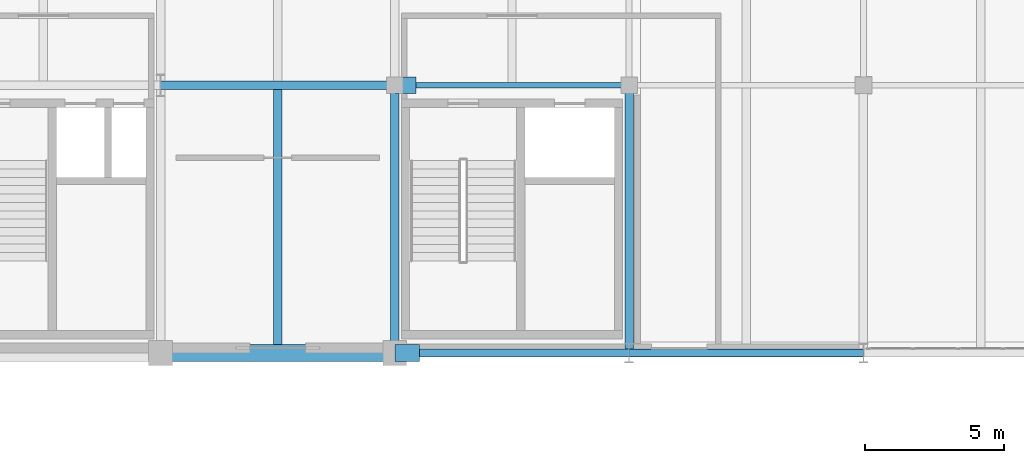
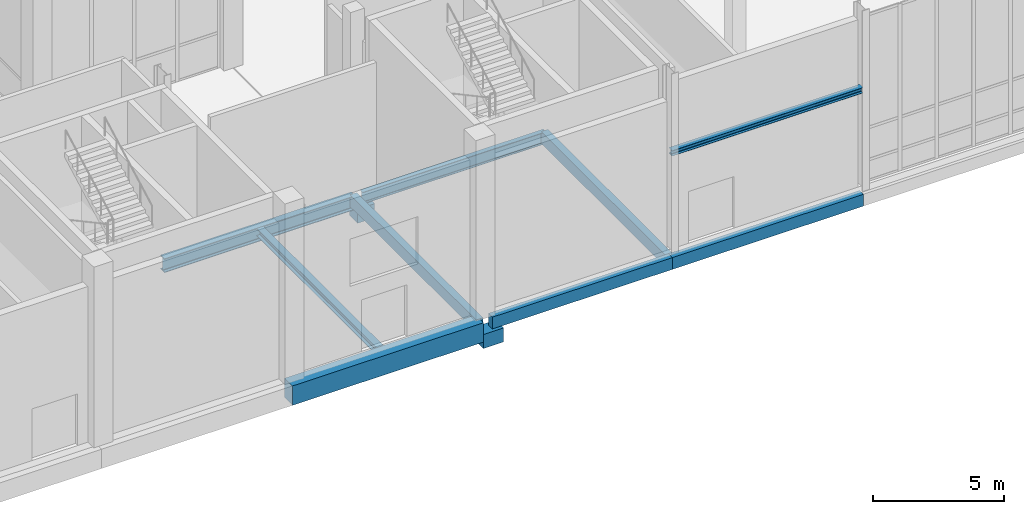
# One storey, part 27 of 131: 11 beams.
"""IFC4 building model written with IfcOpenShell, lengths in metres."""

from ifc_helpers import new_model, si_unit, direction, frame, origin, origin_2d, place, context, subcontext, project, spatial, rectangle, i_section, extrude, material, material_profile, profile_set, type_object, element, save


model = new_model("IFC4")

# Units and contexts
model_context = context("Model", 3, precision=1e-05, world=origin(), true_north=direction((0.0, 1.0)))
body_context = subcontext(model_context, "Body", "Model", "MODEL_VIEW")
ifc_project = project(units=[si_unit("LENGTHUNIT", "METRE"), si_unit("AREAUNIT", "SQUARE_METRE"), si_unit("VOLUMEUNIT", "CUBIC_METRE"), si_unit("PLANEANGLEUNIT", "RADIAN"), si_unit("MASSUNIT", "GRAM", prefix="KILO")], contexts=[model_context])

# Site, building, storey
site_placement = place(None, origin())
site = spatial("IfcSite", under=ifc_project, at=site_placement, CompositionType="ELEMENT")
building_placement = place(site_placement, origin())
building = spatial("IfcBuilding", under=site, at=building_placement, Name="Veltarok Museum of Natural Sciences", CompositionType="ELEMENT")
storey_placement = place(building_placement, origin())
storey = spatial("IfcBuildingStorey", under=building, at=storey_placement, Name="L00", CompositionType="ELEMENT", Elevation=0.0)

# Beams
ifc_material_1 = material(Name="Steel S355J2", Category="steel")
ifc_material_profile_1 = material_profile(ifc_material_1, i_section(OverallWidth=0.2099609375, OverallDepth=0.550048828125, WebThickness=0.010986328125, FlangeThickness=0.01708984375, FilletRadius=0.02392578125, at=origin_2d()), Name="IPE 550")
ifc_profile_set_1 = profile_set([ifc_material_profile_1], Name="Steel S355J2")
beam_type_1 = type_object("IfcBeamType", Name="Archive Heavy Girder IPE 550", PredefinedType="BEAM", material=ifc_profile_set_1)
beam_1_placement = place(storey_placement, frame((107.550048828125, 9.60009765625, -0.574951171875), z_axis=(1.0, 0.0, 0.0), x_axis=(0.0, 1.0, 0.0)))
element("IfcBeam", 1, at=beam_1_placement, inside=storey, type_object=beam_type_1, Name="Beam BM-G03 L00 13-14/B", PredefinedType="BEAM", context=body_context, shape_type="SweptSolid", body=[
    extrude(i_section(OverallWidth=0.2099609375, OverallDepth=0.550048828125, WebThickness=0.010986328125, FlangeThickness=0.01708984375, FilletRadius=0.02392578125, at=origin_2d()), origin(), (0.0, 0.0, 1.0), 8.050048828125),
])
ifc_material_2 = material(Name="Precast concrete C40/50", Category="concrete")
ifc_material_profile_2 = material_profile(ifc_material_2, rectangle(XDim=0.300048828125, YDim=0.550048828125, at=origin_2d()), Name="RC 300x550")
ifc_profile_set_2 = profile_set([ifc_material_profile_2], Name="Precast concrete C40/50")
beam_type_2 = type_object("IfcBeamType", Name="East Wing Precast Spandrel RC 300x550", PredefinedType="SPANDREL", material=ifc_profile_set_2)
beam_2_placement = place(storey_placement, frame((107.675048828125, 0.0, -0.574951171875), z_axis=(1.0, 0.0, 0.0), x_axis=(0.0, 1.0, 0.0)))
element("IfcBeam", 2, at=beam_2_placement, inside=storey, type_object=beam_type_2, Name="Beam BM-SP02 L00 13-14/A", PredefinedType="SPANDREL", context=body_context, shape_type="SweptSolid", body=[
    extrude(rectangle(XDim=0.300048828125, YDim=0.550048828125, at=origin_2d()), origin(), (0.0, 0.0, 1.0), 7.925048828125),
])
beam_3_placement = place(storey_placement, frame((115.60009765625, 0.0, -0.574951171875), z_axis=(1.0, 0.0, 0.0), x_axis=(0.0, 1.0, 0.0)))
element("IfcBeam", 3, at=beam_3_placement, inside=storey, type_object=beam_type_2, Name="Beam BM-SP02 L00 14-15/A", PredefinedType="SPANDREL", context=body_context, shape_type="SweptSolid", body=[
    extrude(rectangle(XDim=0.300048828125, YDim=0.550048828125, at=origin_2d()), origin(), (0.0, 0.0, 1.0), 8.39990234375),
])
for number, where, z_axis, x_axis, name in (
    (4, (107.199951171875, 0.0, -0.574951171875), (0.0, 1.0, 0.0), (-1.0, 0.0, 0.0), "Beam BM-SP02 L00 13/A-B"),
    (5, (115.60009765625, 0.0, -0.574951171875), (0.0, 1.0, 0.0), (-1.0, 0.0, 0.0), "Beam BM-SP02 L00 14/A-B"),
):
    element("IfcBeam", number, at=place(storey_placement, frame(where, z_axis=z_axis, x_axis=x_axis)), inside=storey, type_object=beam_type_2, Name=name, PredefinedType="SPANDREL", context=body_context, shape_type="SweptSolid", body=[
        extrude(rectangle(XDim=0.300048828125, YDim=0.550048828125, at=origin_2d()), origin(), (0.0, 0.0, 1.0), 9.60009765625),
    ])
ifc_material_3 = material(Name="Concrete C40/50", Category="concrete")
ifc_material_profile_3 = material_profile(ifc_material_3, rectangle(XDim=0.60009765625, YDim=0.89990234375, at=origin_2d()), Name="RC 600x900")
ifc_profile_set_3 = profile_set([ifc_material_profile_3], Name="Concrete C40/50")
beam_type_3 = type_object("IfcBeamType", Name="Exposed Cabinet Perimeter Spandrel RC 600x900", PredefinedType="SPANDREL", material=ifc_profile_set_3)
beam_4_placement = place(storey_placement, frame((98.800048828125, 0.0, -0.75), z_axis=(1.0, 0.0, 0.0), x_axis=(0.0, 1.0, 0.0)))
element("IfcBeam", 6, at=beam_4_placement, inside=storey, type_object=beam_type_3, Name="Beam BM-SP01 L00 12-13/A", PredefinedType="SPANDREL", context=body_context, shape_type="SweptSolid", body=[
    extrude(rectangle(XDim=0.60009765625, YDim=0.89990234375, at=origin_2d()), origin(), (0.0, 0.0, 1.0), 8.39990234375),
])
ifc_material_profile_4 = material_profile(ifc_material_1, i_section(OverallWidth=0.300048828125, OverallDepth=0.64990234375, WebThickness=0.01611328125, FlangeThickness=0.031005859375, FilletRadius=0.027099609375, at=origin_2d()), Name="HEB 650")
ifc_profile_set_4 = profile_set([ifc_material_profile_4], Name="Steel S355J2")
beam_type_4 = type_object("IfcBeamType", Name="Heavy Spine Girder HEB 650", PredefinedType="BEAM", material=ifc_profile_set_4)
beam_5_placement = place(storey_placement, frame((98.800048828125, 9.60009765625, -0.625), z_axis=(1.0, 0.0, 0.0), x_axis=(0.0, 1.0, 0.0)))
element("IfcBeam", 7, at=beam_5_placement, inside=storey, type_object=beam_type_4, Name="Beam BM-G11 L00 12-13/B", PredefinedType="BEAM", context=body_context, shape_type="SweptSolid", body=[
    extrude(i_section(OverallWidth=0.300048828125, OverallDepth=0.64990234375, WebThickness=0.01611328125, FlangeThickness=0.031005859375, FilletRadius=0.027099609375, at=origin_2d()), origin(), (0.0, 0.0, 1.0), 8.39990234375),
])
ifc_material_profile_5 = material_profile(ifc_material_1, i_section(OverallWidth=0.300048828125, OverallDepth=0.35009765625, WebThickness=0.010009765625, FlangeThickness=0.017578125, FilletRadius=0.027099609375, at=origin_2d()), Name="HEA 360")
ifc_profile_set_5 = profile_set([ifc_material_profile_5], Name="Steel S355J2")
beam_type_5 = type_object("IfcBeamType", Name="Long-Span Gallery Joist HEA 360", PredefinedType="JOIST", material=ifc_profile_set_5)
beam_6_placement = place(storey_placement, frame((103.0, 0.298095703125, -0.47509765625), z_axis=(0.0, 1.0, 0.0), x_axis=(-1.0, 0.0, 0.0)))
element("IfcBeam", 8, at=beam_6_placement, inside=storey, type_object=beam_type_5, Name="Secondary Joist BM-J07 L00 12-13/A-B.1", PredefinedType="JOIST", context=body_context, shape_type="SweptSolid", body=[
    extrude(i_section(OverallWidth=0.300048828125, OverallDepth=0.35009765625, WebThickness=0.010009765625, FlangeThickness=0.017578125, FilletRadius=0.027099609375, at=origin_2d()), origin(), (0.0, 0.0, 1.0), 9.15380859375),
])
ifc_material_profile_6 = material_profile(ifc_material_3, rectangle(XDim=0.60009765625, YDim=0.64990234375, at=origin_2d()), Name="RC 600x650")
ifc_profile_set_6 = profile_set([ifc_material_profile_6], Name="Concrete C40/50")
beam_type_6 = type_object("IfcBeamType", Name="Movement Joint Sliding Corbel RC 600x650", PredefinedType="BEAM", material=ifc_profile_set_6)
beam_7_placement = place(storey_placement, frame((107.199951171875, 0.0, -1.175048828125), z_axis=(1.0, 0.0, 0.0), x_axis=(0.0, 1.0, 0.0)))
element("IfcBeam", 9, at=beam_7_placement, inside=storey, type_object=beam_type_6, Name="Movement Joint Corbel L00 13/A", PredefinedType="BEAM", context=body_context, shape_type="SweptSolid", body=[
    extrude(rectangle(XDim=0.60009765625, YDim=0.64990234375, at=origin_2d()), origin(), (0.0, 0.0, 1.0), 0.885009765625),
])
beam_8_placement = place(storey_placement, frame((107.199951171875, 9.60009765625, -1.175048828125), z_axis=(1.0, 0.0, 0.0), x_axis=(0.0, 1.0, 0.0)))
element("IfcBeam", 10, at=beam_8_placement, inside=storey, type_object=beam_type_6, Name="Movement Joint Corbel L00 13/B", PredefinedType="BEAM", context=body_context, shape_type="SweptSolid", body=[
    extrude(rectangle(XDim=0.60009765625, YDim=0.64990234375, at=origin_2d()), origin(), (0.0, 0.0, 1.0), 0.760009765625),
])
ifc_material_profile_7 = material_profile(ifc_material_1, i_section(OverallWidth=0.260009765625, OverallDepth=0.25, WebThickness=0.007568359375, FlangeThickness=0.012451171875, FilletRadius=0.02392578125, at=origin_2d()), Name="HEA 260")
ifc_profile_set_7 = profile_set([ifc_material_profile_7], Name="Steel S355J2")
beam_type_7 = type_object("IfcBeamType", Name="Portal and Dock Lintel Beam HEA 260", PredefinedType="LINTEL", material=ifc_profile_set_7)
beam_9_placement = place(storey_placement, frame((115.60009765625, 0.0, 4.52490234375), z_axis=(1.0, 0.0, 0.0), x_axis=(0.0, 1.0, 0.0)))
element("IfcBeam", 11, at=beam_9_placement, inside=storey, type_object=beam_type_7, Name="Portal Lintel Beam LN-ENT-4", PredefinedType="LINTEL", context=body_context, shape_type="SweptSolid", body=[
    extrude(i_section(OverallWidth=0.260009765625, OverallDepth=0.25, WebThickness=0.007568359375, FlangeThickness=0.012451171875, FilletRadius=0.02392578125, at=origin_2d()), origin(), (0.0, 0.0, 1.0), 8.39990234375),
])

save(model, "model.ifc")
